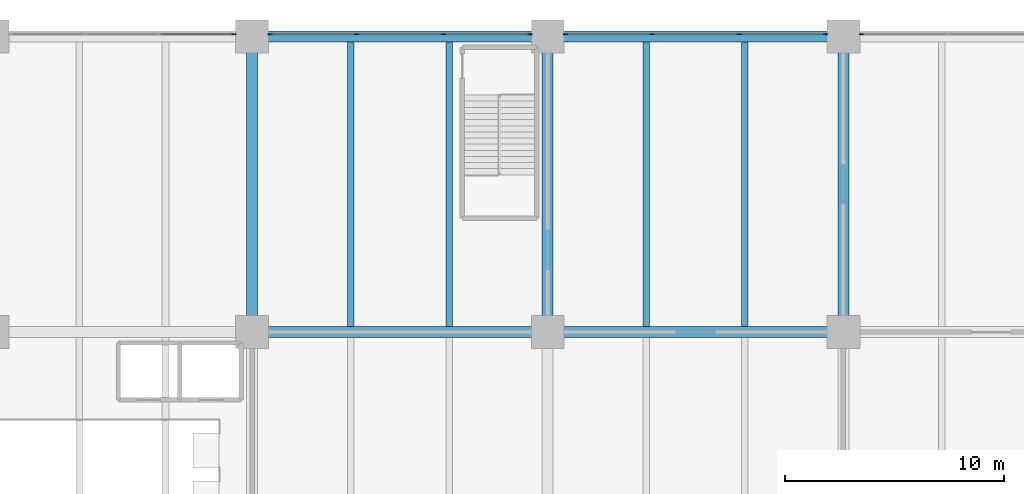
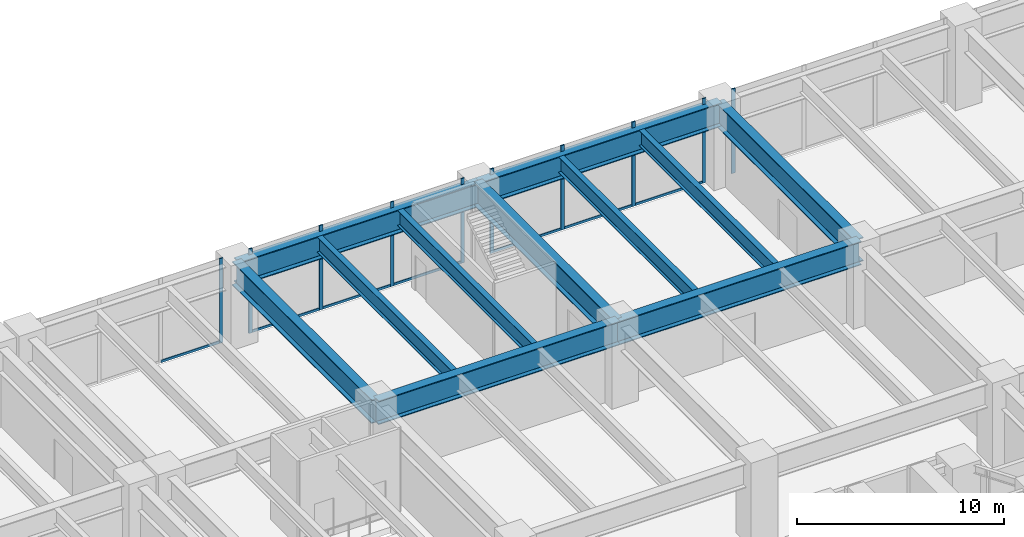
# One storey, part 16 of 31: 17 members, 11 beams, 4 elements without a shape of their own.
"""IFC4 building model written with IfcOpenShell, lengths in metres."""

from ifc_helpers import new_model, si_unit, direction, frame, origin, origin_2d, place, context, subcontext, project, spatial, rectangle, i_section, extrude, material, material_profile, profile_set, type_object, element, aggregate, save


model = new_model("IFC4")

# Units and contexts
model_context = context("Model", 3, precision=1e-05, world=origin(), true_north=direction((0.0, 1.0)))
body_context = subcontext(model_context, "Body", "Model", "MODEL_VIEW")
ifc_project = project(units=[si_unit("LENGTHUNIT", "METRE"), si_unit("AREAUNIT", "SQUARE_METRE"), si_unit("VOLUMEUNIT", "CUBIC_METRE"), si_unit("PLANEANGLEUNIT", "RADIAN"), si_unit("MASSUNIT", "GRAM", prefix="KILO")], contexts=[model_context])

# Site, building, storey
site_placement = place(None, origin())
site = spatial("IfcSite", under=ifc_project, at=site_placement, CompositionType="ELEMENT")
building_placement = place(site_placement, origin())
building = spatial("IfcBuilding", under=site, at=building_placement, Name="Upepo Twin Towers", CompositionType="ELEMENT")
storey_placement = place(building_placement, frame((0.0, 0.0, 15.5)))
storey = spatial("IfcBuildingStorey", under=building, at=storey_placement, Name="L03", CompositionType="ELEMENT", Elevation=15.5)

# Beams
ifc_material_1 = material(Name="Steel S355", Category="steel")
ifc_material_profile_1 = material_profile(ifc_material_1, i_section(OverallWidth=0.5, OverallDepth=1.39990234375, WebThickness=0.02490234375, FlangeThickness=0.050048828125, FilletRadius=0.008056640625, at=origin_2d()), Name="PG 1400x500x25x50")
ifc_profile_set_1 = profile_set([ifc_material_profile_1], Name="Steel S355")
beam_type_1 = type_object("IfcBeamType", Name="Beam PG 1400x500x25x50", PredefinedType="BEAM", material=ifc_profile_set_1)
for number, where, z_axis, x_axis, name in (
    (1, (40.5, 27.0, 3.949951171875), (1.0, 0.0, 0.0), (0.0, 1.0, 0.0), "Podium girder F/6-7"),
    (2, (54.0, 27.0, 3.949951171875), (1.0, 0.0, 0.0), (0.0, 1.0, 0.0), "Podium girder F/7-8"),
    (3, (40.5, 40.5, 3.949951171875), (1.0, 0.0, 0.0), (0.0, 1.0, 0.0), "Podium girder G/6-7"),
    (4, (54.0, 40.5, 3.949951171875), (1.0, 0.0, 0.0), (0.0, 1.0, 0.0), "Podium girder G/7-8"),
    (5, (40.5, 27.0, 3.949951171875), (0.0, 1.0, 0.0), (-1.0, 0.0, 0.0), "Podium girder 6/F-G"),
    (6, (54.0, 27.0, 3.949951171875), (0.0, 1.0, 0.0), (-1.0, 0.0, 0.0), "Podium girder 7/F-G"),
    (7, (67.5, 27.0, 3.949951171875), (0.0, 1.0, 0.0), (-1.0, 0.0, 0.0), "Podium girder 8/F-G"),
):
    element("IfcBeam", number, at=place(storey_placement, frame(where, z_axis=z_axis, x_axis=x_axis)), inside=storey, type_object=beam_type_1, Name=name, PredefinedType="BEAM", context=body_context, shape_type="SweptSolid", body=[
        extrude(i_section(OverallWidth=0.5, OverallDepth=1.39990234375, WebThickness=0.02490234375, FlangeThickness=0.050048828125, FilletRadius=0.008056640625, at=origin_2d()), origin(), (0.0, 0.0, 1.0), 13.5),
    ])

# Curtain wall, member
ifc_material_2 = material(Name="Aluminium and clear glass", Category="aluminium")
curtain_wall_type = type_object("IfcCurtainWallType", Name="Podium curtain wall PW1", PredefinedType="NOTDEFINED", material=ifc_material_2)
curtain_wall_1_placement = place(storey_placement, origin())
curtain_wall_1 = element("IfcCurtainWall", 8, at=curtain_wall_1_placement, inside=storey, type_object=curtain_wall_type, Name="Podium L03 curtain wall N2", PredefinedType="NOTDEFINED")
ifc_material_3 = material(Name="Aluminium mullion", Category="aluminium")
ifc_material_profile_2 = material_profile(ifc_material_3, rectangle(XDim=0.06494140625, YDim=0.199951171875, at=origin_2d()), Name="MULLION 65x200 PODIUM")
ifc_profile_set_2 = profile_set([ifc_material_profile_2], Name="Aluminium mullion")
member_type_1 = type_object("IfcMemberType", Name="Mullion 65x200 PW1", PredefinedType="MULLION", material=ifc_profile_set_2)
member_1_placement = place(storey_placement, frame((68.3173828125, 40.60009765625, 0.0), z_axis=(0.0, 0.0, 1.0), x_axis=(0.0, -1.0, 0.0)))
member_1 = element("IfcMember", 9, at=member_1_placement, type_object=member_type_1, Name="Podium L03 curtain wall N2 mullion 4", PredefinedType="MULLION", context=body_context, shape_type="SweptSolid", body=[
    extrude(rectangle(XDim=0.06494140625, YDim=0.199951171875, at=origin_2d()), origin(), (0.0, 0.0, 1.0), 5.0),
])
aggregate(curtain_wall_1, [member_1])

# Curtain wall, members
curtain_wall_2_placement = place(storey_placement, origin())
curtain_wall_2 = element("IfcCurtainWall", 10, at=curtain_wall_2_placement, inside=storey, type_object=curtain_wall_type, Name="Podium L03 curtain wall N3", PredefinedType="NOTDEFINED")
member_2_placement = place(storey_placement, frame((66.6826171875, 40.60009765625, 0.0), z_axis=(0.0, 0.0, 1.0), x_axis=(0.0, -1.0, 0.0)))
member_2 = element("IfcMember", 11, at=member_2_placement, type_object=member_type_1, Name="Podium L03 curtain wall N3 mullion 1", PredefinedType="MULLION", context=body_context, shape_type="SweptSolid", body=[
    extrude(rectangle(XDim=0.06494140625, YDim=0.199951171875, at=origin_2d()), origin(), (0.0, 0.0, 1.0), 5.0),
])
member_3_placement = place(storey_placement, frame((62.73828125, 40.60009765625, 0.0), z_axis=(0.0, 0.0, 1.0), x_axis=(0.0, -1.0, 0.0)))
member_3 = element("IfcMember", 12, at=member_3_placement, type_object=member_type_1, Name="Podium L03 curtain wall N3 mullion 2", PredefinedType="MULLION", context=body_context, shape_type="SweptSolid", body=[
    extrude(rectangle(XDim=0.06494140625, YDim=0.199951171875, at=origin_2d()), origin(), (0.0, 0.0, 1.0), 5.0),
])
member_4_placement = place(storey_placement, frame((58.76171875, 40.60009765625, 0.0), z_axis=(0.0, 0.0, 1.0), x_axis=(0.0, -1.0, 0.0)))
member_4 = element("IfcMember", 13, at=member_4_placement, type_object=member_type_1, Name="Podium L03 curtain wall N3 mullion 3", PredefinedType="MULLION", context=body_context, shape_type="SweptSolid", body=[
    extrude(rectangle(XDim=0.06494140625, YDim=0.199951171875, at=origin_2d()), origin(), (0.0, 0.0, 1.0), 5.0),
])
member_5_placement = place(storey_placement, frame((54.8173828125, 40.60009765625, 0.0), z_axis=(0.0, 0.0, 1.0), x_axis=(0.0, -1.0, 0.0)))
member_5 = element("IfcMember", 14, at=member_5_placement, type_object=member_type_1, Name="Podium L03 curtain wall N3 mullion 4", PredefinedType="MULLION", context=body_context, shape_type="SweptSolid", body=[
    extrude(rectangle(XDim=0.06494140625, YDim=0.199951171875, at=origin_2d()), origin(), (0.0, 0.0, 1.0), 5.0),
])

curtain_wall_3_placement = place(storey_placement, origin())
curtain_wall_3 = element("IfcCurtainWall", 15, at=curtain_wall_3_placement, inside=storey, type_object=curtain_wall_type, Name="Podium L03 curtain wall N4", PredefinedType="NOTDEFINED")
member_6_placement = place(storey_placement, frame((53.1826171875, 40.60009765625, 0.0), z_axis=(0.0, 0.0, 1.0), x_axis=(0.0, -1.0, 0.0)))
member_6 = element("IfcMember", 16, at=member_6_placement, type_object=member_type_1, Name="Podium L03 curtain wall N4 mullion 1", PredefinedType="MULLION", context=body_context, shape_type="SweptSolid", body=[
    extrude(rectangle(XDim=0.06494140625, YDim=0.199951171875, at=origin_2d()), origin(), (0.0, 0.0, 1.0), 5.0),
])
member_7_placement = place(storey_placement, frame((49.23828125, 40.60009765625, 0.0), z_axis=(0.0, 0.0, 1.0), x_axis=(0.0, -1.0, 0.0)))
member_7 = element("IfcMember", 17, at=member_7_placement, type_object=member_type_1, Name="Podium L03 curtain wall N4 mullion 2", PredefinedType="MULLION", context=body_context, shape_type="SweptSolid", body=[
    extrude(rectangle(XDim=0.06494140625, YDim=0.199951171875, at=origin_2d()), origin(), (0.0, 0.0, 1.0), 5.0),
])
member_8_placement = place(storey_placement, frame((45.26171875, 40.60009765625, 0.0), z_axis=(0.0, 0.0, 1.0), x_axis=(0.0, -1.0, 0.0)))
member_8 = element("IfcMember", 18, at=member_8_placement, type_object=member_type_1, Name="Podium L03 curtain wall N4 mullion 3", PredefinedType="MULLION", context=body_context, shape_type="SweptSolid", body=[
    extrude(rectangle(XDim=0.06494140625, YDim=0.199951171875, at=origin_2d()), origin(), (0.0, 0.0, 1.0), 5.0),
])
member_9_placement = place(storey_placement, frame((41.3173828125, 40.60009765625, 0.0), z_axis=(0.0, 0.0, 1.0), x_axis=(0.0, -1.0, 0.0)))
member_9 = element("IfcMember", 19, at=member_9_placement, type_object=member_type_1, Name="Podium L03 curtain wall N4 mullion 4", PredefinedType="MULLION", context=body_context, shape_type="SweptSolid", body=[
    extrude(rectangle(XDim=0.06494140625, YDim=0.199951171875, at=origin_2d()), origin(), (0.0, 0.0, 1.0), 5.0),
])

# Curtain wall, member
curtain_wall_4_placement = place(storey_placement, origin())
curtain_wall_4 = element("IfcCurtainWall", 20, at=curtain_wall_4_placement, inside=storey, type_object=curtain_wall_type, Name="Podium L03 curtain wall N5", PredefinedType="NOTDEFINED")
member_10_placement = place(storey_placement, frame((39.6826171875, 40.60009765625, 0.0), z_axis=(0.0, 0.0, 1.0), x_axis=(0.0, -1.0, 0.0)))
member_10 = element("IfcMember", 21, at=member_10_placement, type_object=member_type_1, Name="Podium L03 curtain wall N5 mullion 1", PredefinedType="MULLION", context=body_context, shape_type="SweptSolid", body=[
    extrude(rectangle(XDim=0.06494140625, YDim=0.199951171875, at=origin_2d()), origin(), (0.0, 0.0, 1.0), 5.0),
])

# Beams
ifc_material_4 = material(Name="Steel S355", Category="steel")
ifc_material_profile_3 = material_profile(ifc_material_4, i_section(OverallWidth=0.305419921875, OverallDepth=0.91845703125, WebThickness=0.017333984375, FlangeThickness=0.02783203125, FilletRadius=0.01904296875, at=origin_2d()), Name="UB 914x305x253")
ifc_profile_set_3 = profile_set([ifc_material_profile_3], Name="Steel S355")
beam_type_2 = type_object("IfcBeamType", Name="Secondary beam UB 914x305x253", PredefinedType="JOIST", material=ifc_profile_set_3)
for number, where, z_axis, x_axis, name in (
    (22, (45.0, 27.25, 4.19091796875), (0.0, 1.0, 0.0), (-1.0, 0.0, 0.0), "Podium secondary beam F6.1"),
    (23, (49.5, 27.25, 4.19091796875), (0.0, 1.0, 0.0), (-1.0, 0.0, 0.0), "Podium secondary beam F6.2"),
    (24, (58.5, 27.25, 4.19091796875), (0.0, 1.0, 0.0), (-1.0, 0.0, 0.0), "Podium secondary beam F7.1"),
    (25, (63.0, 27.25, 4.19091796875), (0.0, 1.0, 0.0), (-1.0, 0.0, 0.0), "Podium secondary beam F7.2"),
):
    element("IfcBeam", number, at=place(storey_placement, frame(where, z_axis=z_axis, x_axis=x_axis)), inside=storey, type_object=beam_type_2, Name=name, PredefinedType="JOIST", context=body_context, shape_type="SweptSolid", body=[
        extrude(i_section(OverallWidth=0.305419921875, OverallDepth=0.91845703125, WebThickness=0.017333984375, FlangeThickness=0.02783203125, FilletRadius=0.01904296875, at=origin_2d()), origin(), (0.0, 0.0, 1.0), 13.0),
    ])

# Member
ifc_material_5 = material(Name="Aluminium transom", Category="aluminium")
ifc_material_profile_4 = material_profile(ifc_material_5, rectangle(XDim=0.06494140625, YDim=0.14990234375, at=origin_2d()), Name="TRANSOM 65x150 PODIUM")
ifc_profile_set_4 = profile_set([ifc_material_profile_4], Name="Aluminium transom")
member_type_2 = type_object("IfcMemberType", Name="Transom 65x150 PW1", PredefinedType="USERDEFINED", material=ifc_profile_set_4)
member_11_placement = place(storey_placement, frame((66.64990234375, 40.60009765625, 0.074951171875), z_axis=(-1.0, 0.0, 0.0), x_axis=(0.0, -1.0, 0.0)))
member_11 = element("IfcMember", 26, at=member_11_placement, type_object=member_type_2, Name="Podium L03 curtain wall N3 transom 1", ObjectType="TRANSOM", PredefinedType="USERDEFINED", context=body_context, shape_type="SweptSolid", body=[
    extrude(rectangle(XDim=0.06494140625, YDim=0.14990234375, at=origin_2d()), origin(), (0.0, 0.0, 1.0), 3.879150390625),
])

member_12_placement = place(storey_placement, frame((62.705810546875, 40.60009765625, 0.074951171875), z_axis=(-1.0, 0.0, 0.0), x_axis=(0.0, -1.0, 0.0)))
member_12 = element("IfcMember", 27, at=member_12_placement, type_object=member_type_2, Name="Podium L03 curtain wall N3 transom 2", ObjectType="TRANSOM", PredefinedType="USERDEFINED", context=body_context, shape_type="SweptSolid", body=[
    extrude(rectangle(XDim=0.06494140625, YDim=0.14990234375, at=origin_2d()), origin(), (0.0, 0.0, 1.0), 3.91162109375),
])

member_13_placement = place(storey_placement, frame((58.729248046875, 40.60009765625, 0.074951171875), z_axis=(-1.0, 0.0, 0.0), x_axis=(0.0, -1.0, 0.0)))
member_13 = element("IfcMember", 28, at=member_13_placement, type_object=member_type_2, Name="Podium L03 curtain wall N3 transom 3", ObjectType="TRANSOM", PredefinedType="USERDEFINED", context=body_context, shape_type="SweptSolid", body=[
    extrude(rectangle(XDim=0.06494140625, YDim=0.14990234375, at=origin_2d()), origin(), (0.0, 0.0, 1.0), 3.879150390625),
])

aggregate(curtain_wall_2, [member_2, member_3, member_4, member_5, member_11, member_12, member_13])

member_14_placement = place(storey_placement, frame((53.14990234375, 40.60009765625, 0.074951171875), z_axis=(-1.0, 0.0, 0.0), x_axis=(0.0, -1.0, 0.0)))
member_14 = element("IfcMember", 29, at=member_14_placement, type_object=member_type_2, Name="Podium L03 curtain wall N4 transom 1", ObjectType="TRANSOM", PredefinedType="USERDEFINED", context=body_context, shape_type="SweptSolid", body=[
    extrude(rectangle(XDim=0.06494140625, YDim=0.14990234375, at=origin_2d()), origin(), (0.0, 0.0, 1.0), 3.879150390625),
])

member_15_placement = place(storey_placement, frame((49.205810546875, 40.60009765625, 0.074951171875), z_axis=(-1.0, 0.0, 0.0), x_axis=(0.0, -1.0, 0.0)))
member_15 = element("IfcMember", 30, at=member_15_placement, type_object=member_type_2, Name="Podium L03 curtain wall N4 transom 2", ObjectType="TRANSOM", PredefinedType="USERDEFINED", context=body_context, shape_type="SweptSolid", body=[
    extrude(rectangle(XDim=0.06494140625, YDim=0.14990234375, at=origin_2d()), origin(), (0.0, 0.0, 1.0), 3.91162109375),
])

member_16_placement = place(storey_placement, frame((45.229248046875, 40.60009765625, 0.074951171875), z_axis=(-1.0, 0.0, 0.0), x_axis=(0.0, -1.0, 0.0)))
member_16 = element("IfcMember", 31, at=member_16_placement, type_object=member_type_2, Name="Podium L03 curtain wall N4 transom 3", ObjectType="TRANSOM", PredefinedType="USERDEFINED", context=body_context, shape_type="SweptSolid", body=[
    extrude(rectangle(XDim=0.06494140625, YDim=0.14990234375, at=origin_2d()), origin(), (0.0, 0.0, 1.0), 3.879150390625),
])

aggregate(curtain_wall_3, [member_6, member_7, member_8, member_9, member_14, member_15, member_16])

member_17_placement = place(storey_placement, frame((39.64990234375, 40.60009765625, 0.074951171875), z_axis=(-1.0, 0.0, 0.0), x_axis=(0.0, -1.0, 0.0)))
member_17 = element("IfcMember", 32, at=member_17_placement, type_object=member_type_2, Name="Podium L03 curtain wall N5 transom 1", ObjectType="TRANSOM", PredefinedType="USERDEFINED", context=body_context, shape_type="SweptSolid", body=[
    extrude(rectangle(XDim=0.06494140625, YDim=0.14990234375, at=origin_2d()), origin(), (0.0, 0.0, 1.0), 3.3291015625),
])

aggregate(curtain_wall_4, [member_10, member_17])

save(model, "model.ifc")
